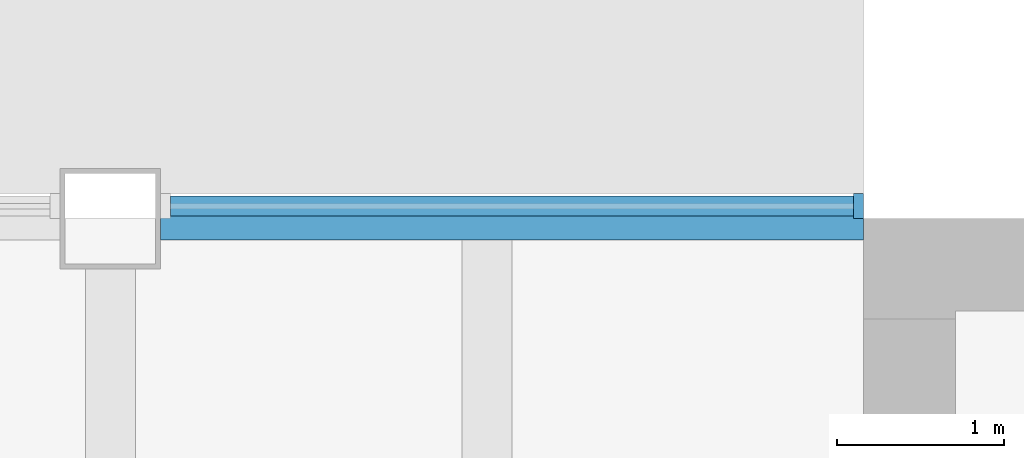
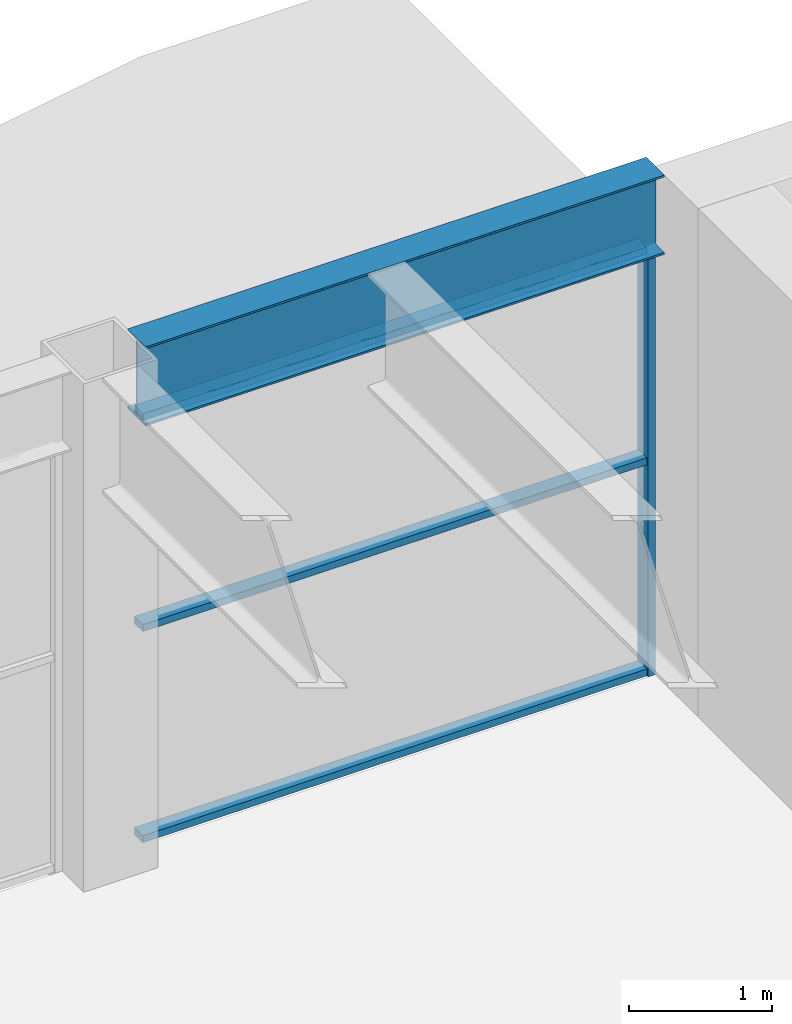
# One storey, part 6 of 14: 4 members, 1 beam, 1 element without a shape of its own.
"""IFC4 building model written with IfcOpenShell, lengths in metres."""

from ifc_helpers import new_model, si_unit, direction, frame, origin, origin_2d, place, context, subcontext, project, spatial, rectangle, i_section, extrude, material, material_profile, profile_set, type_object, element, aggregate, save


model = new_model("IFC4")

# Units and contexts
model_context = context("Model", 3, precision=1e-05, world=origin(), true_north=direction((0.0, 1.0)))
body_context = subcontext(model_context, "Body", "Model", "MODEL_VIEW")
ifc_project = project(units=[si_unit("LENGTHUNIT", "METRE"), si_unit("AREAUNIT", "SQUARE_METRE"), si_unit("VOLUMEUNIT", "CUBIC_METRE"), si_unit("PLANEANGLEUNIT", "RADIAN"), si_unit("MASSUNIT", "GRAM", prefix="KILO")], contexts=[model_context])

# Site, building, storey
site_placement = place(None, origin())
site = spatial("IfcSite", under=ifc_project, at=site_placement, CompositionType="ELEMENT")
building_placement = place(site_placement, origin())
building = spatial("IfcBuilding", under=site, at=building_placement, Name="Sennacour Bend Tower", CompositionType="ELEMENT")
storey_placement = place(building_placement, frame((0.0, 0.0, 309.5)))
storey = spatial("IfcBuildingStorey", under=building, at=storey_placement, Name="L71", CompositionType="ELEMENT", Elevation=309.5)

# Curtain wall, members
ifc_material_1 = material(Name="Bronze anodised aluminium curtain wall with clear glass", Category="aluminium")
curtain_wall_type = type_object("IfcCurtainWallType", Name="CURTAIN WALL EXEC", PredefinedType="NOTDEFINED", material=ifc_material_1)
curtain_wall_placement = place(storey_placement, origin())
curtain_wall = element("IfcCurtainWall", 1, at=curtain_wall_placement, inside=storey, type_object=curtain_wall_type, Name="Executive floor glass wall L71", PredefinedType="NOTDEFINED")
ifc_material_2 = material(Name="Aluminium 6063-T6", Category="aluminium")
ifc_material_profile_1 = material_profile(ifc_material_2, rectangle(XDim=0.14990234375, YDim=0.06005859375, at=origin_2d()), Name="Aluminium 6063-T6", Category="aluminium")
ifc_profile_set_1 = profile_set([ifc_material_profile_1], Name="Aluminium 6063-T6")
member_type_1 = type_object("IfcMemberType", Name="CW-MULLION-150X60", PredefinedType="MULLION", material=ifc_profile_set_1)
member_1_placement = place(storey_placement, frame((53.969970703125, 22.574951171875, 0.0), z_axis=(0.0, 0.0, 1.0), x_axis=(0.0, -1.0, 0.0)))
member_1 = element("IfcMember", 2, at=member_1_placement, type_object=member_type_1, Name="GW3 curtain wall mullion 1", PredefinedType="MULLION", context=body_context, shape_type="SweptSolid", body=[
    extrude(rectangle(XDim=0.14990234375, YDim=0.06005859375, at=origin_2d()), origin(), (0.0, 0.0, 1.0), 3.672119140625),
])
ifc_material_profile_2 = material_profile(ifc_material_2, rectangle(XDim=0.1201171875, YDim=0.06005859375, at=origin_2d()), Name="Aluminium 6063-T6", Category="aluminium")
ifc_profile_set_2 = profile_set([ifc_material_profile_2], Name="Aluminium 6063-T6")
member_type_2 = type_object("IfcMemberType", Name="CW-TRANSOM-120X60", PredefinedType="USERDEFINED", material=ifc_profile_set_2)
member_2_placement = place(storey_placement, frame((53.93994140625, 22.574951171875, 0.030029296875), z_axis=(-1.0, 0.0, 0.0), x_axis=(0.0, -1.0, 0.0)))
member_2 = element("IfcMember", 3, at=member_2_placement, type_object=member_type_2, Name="GW3 curtain wall transom 1.1", ObjectType="TRANSOM", PredefinedType="USERDEFINED", context=body_context, shape_type="SweptSolid", body=[
    extrude(rectangle(XDim=0.1201171875, YDim=0.06005859375, at=origin_2d()), origin(), (0.0, 0.0, 1.0), 4.079833984375),
])
member_3_placement = place(storey_placement, frame((53.93994140625, 22.574951171875, 1.8359375), z_axis=(-1.0, 0.0, 0.0), x_axis=(0.0, -1.0, 0.0)))
member_3 = element("IfcMember", 4, at=member_3_placement, type_object=member_type_2, Name="GW3 curtain wall transom 1.2", ObjectType="TRANSOM", PredefinedType="USERDEFINED", context=body_context, shape_type="SweptSolid", body=[
    extrude(rectangle(XDim=0.1201171875, YDim=0.06005859375, at=origin_2d()), origin(), (0.0, 0.0, 1.0), 4.079833984375),
])
member_4_placement = place(storey_placement, frame((53.93994140625, 22.574951171875, 3.64208984375), z_axis=(-1.0, 0.0, 0.0), x_axis=(0.0, -1.0, 0.0)))
member_4 = element("IfcMember", 5, at=member_4_placement, type_object=member_type_2, Name="GW3 curtain wall transom 1.3", ObjectType="TRANSOM", PredefinedType="USERDEFINED", context=body_context, shape_type="SweptSolid", body=[
    extrude(rectangle(XDim=0.1201171875, YDim=0.06005859375, at=origin_2d()), origin(), (0.0, 0.0, 1.0), 4.079833984375),
])
aggregate(curtain_wall, [member_1, member_2, member_3, member_4])

# Beam
ifc_material_3 = material(Name="Steel ASTM A992 Grade 50", Category="steel")
ifc_material_profile_3 = material_profile(ifc_material_3, i_section(OverallWidth=0.25390625, OverallDepth=0.677978515625, WebThickness=0.01171875, FlangeThickness=0.016357421875, FilletRadius=0.01513671875, at=origin_2d()), Name="Steel ASTM A992 Grade 50", Category="steel")
ifc_profile_set_3 = profile_set([ifc_material_profile_3], Name="Steel ASTM A992 Grade 50")
beam_type = type_object("IfcBeamType", Name="Spandrel beam W690X125", PredefinedType="SPANDREL", material=ifc_profile_set_3)
beam_placement = place(storey_placement, frame((49.800048828125, 22.5, 4.010986328125), z_axis=(1.0, 0.0, 0.0), x_axis=(0.0, 1.0, 0.0)))
element("IfcBeam", 6, at=beam_placement, inside=storey, type_object=beam_type, Name="Spandrel beam SP7 L72-017", PredefinedType="SPANDREL", context=body_context, shape_type="SweptSolid", body=[
    extrude(i_section(OverallWidth=0.25390625, OverallDepth=0.677978515625, WebThickness=0.01171875, FlangeThickness=0.016357421875, FilletRadius=0.01513671875, at=origin_2d()), origin(), (0.0, 0.0, 1.0), 4.199951171875),
])

save(model, "model.ifc")
